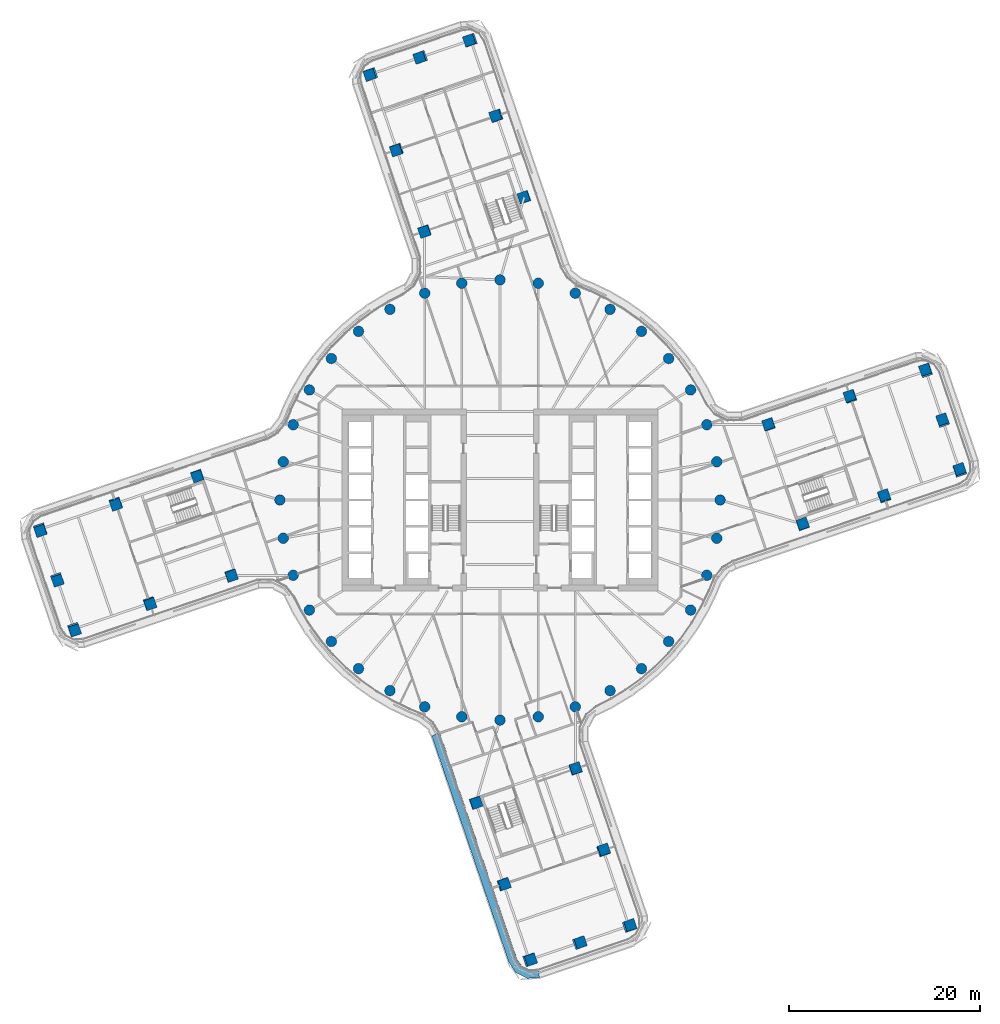
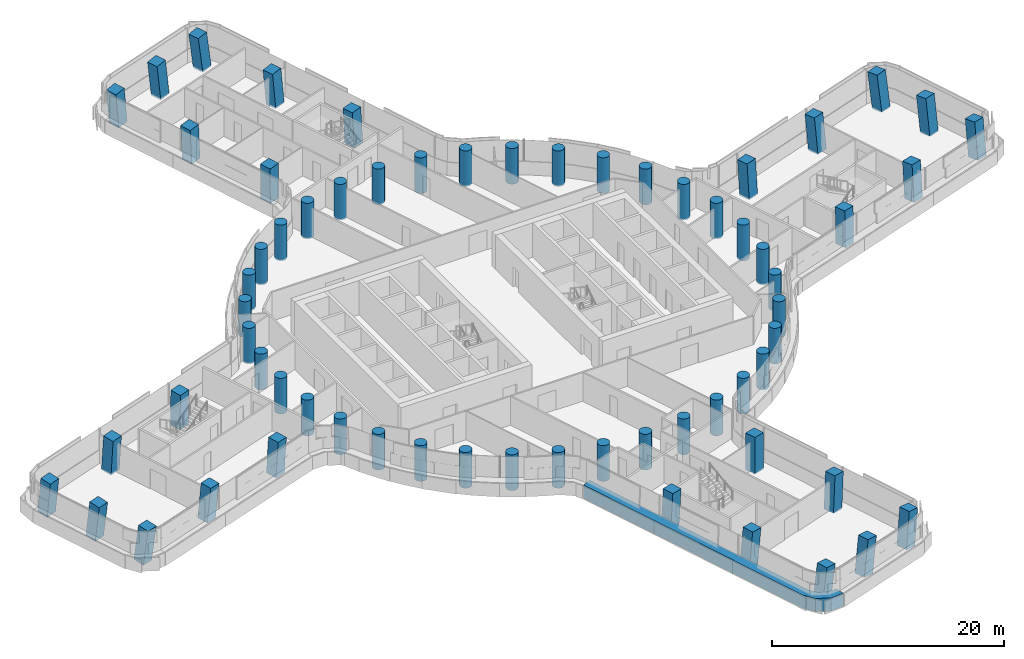
# One storey, part 1 of 29: 64 columns, 1 member, 1 element without a shape of its own.
"""IFC4 building model written with IfcOpenShell, lengths in metres."""

from ifc_helpers import new_model, si_unit, direction, frame, origin, origin_2d, place, context, subcontext, project, spatial, polyline, rectangle, circle, outline, extrude, material, layer, layer_set, material_profile, profile_set, type_object, element, aggregate, save


model = new_model("IFC4")

# Units and contexts
model_context = context("Model", 3, precision=1e-05, world=origin(), true_north=direction((0.0, 1.0)))
body_context = subcontext(model_context, "Body", "Model", "MODEL_VIEW")
ifc_project = project(units=[si_unit("LENGTHUNIT", "METRE"), si_unit("AREAUNIT", "SQUARE_METRE"), si_unit("VOLUMEUNIT", "CUBIC_METRE"), si_unit("PLANEANGLEUNIT", "RADIAN"), si_unit("MASSUNIT", "GRAM", prefix="KILO")], contexts=[model_context])

# Site, building, storey
site_placement = place(None, origin())
site = spatial("IfcSite", under=ifc_project, at=site_placement, CompositionType="ELEMENT")
building_placement = place(site_placement, origin())
building = spatial("IfcBuilding", under=site, at=building_placement, Name="Tamarind Cross Interchange Tower", CompositionType="ELEMENT")
storey_placement = place(building_placement, frame((0.0, 0.0, 102.25)))
storey = spatial("IfcBuildingStorey", under=building, at=storey_placement, Name="L24", CompositionType="ELEMENT", Elevation=102.25)

# Columns
ifc_material_1 = material(Name="Concrete C65", Category="concrete")
ifc_material_profile_1 = material_profile(ifc_material_1, rectangle(XDim=1.10009765625, YDim=1.10009765625, at=origin_2d()), Name="RC 1100x1100")
ifc_profile_set_1 = profile_set([ifc_material_profile_1], Name="Concrete C65")
column_type_1 = type_object("IfcColumnType", Name="Column RC 1100x1100 Concrete C65", PredefinedType="COLUMN", material=ifc_profile_set_1)
for number, where, z_axis, x_axis, name in (
    (1, (36.603271484375, 10.783447265625, -0.138427734375), (-0.052898938805, 0.070293927271, 0.996122716367), (0.320117212286, -0.94368276285, 0.083593142645), "Column L24-036"),
    (2, (40.1494140625, 0.370849609375, -0.138427734375), (-0.002596278956, 0.087884042657, 0.996127328398), (-0.946648043696, -0.321228970973, 0.025873337131), "Column L24-037"),
):
    element("IfcColumn", number, at=place(storey_placement, frame(where, z_axis=z_axis, x_axis=x_axis)), inside=storey, type_object=column_type_1, Name=name, PredefinedType="COLUMN", context=body_context, shape_type="SweptSolid", body=[
        extrude(rectangle(XDim=1.10009765625, YDim=1.10009765625, at=origin_2d()), origin(), (0.0, 0.0, 1.0), 3.761474609375),
    ])
for number, where, z_axis, x_axis, name in (
    (3, (28.083740234375, 7.882080078125, -0.138671875), (-0.038524177237, 0.029218506047, 0.998830399353), (0.320977718265, -0.946239137182, 0.040059950603), "Column L24-038"),
    (4, (31.6298828125, -2.530517578125, -0.138671875), (0.011908660577, 0.046853746533, 0.998830771572), (-0.94678804658, -0.320778489396, 0.02633544367), "Column L24-039"),
):
    element("IfcColumn", number, at=place(storey_placement, frame(where, z_axis=z_axis, x_axis=x_axis)), inside=storey, type_object=column_type_1, Name=name, PredefinedType="COLUMN", context=body_context, shape_type="SweptSolid", body=[
        extrude(rectangle(XDim=1.10009765625, YDim=1.10009765625, at=origin_2d()), origin(), (0.0, 0.0, 1.0), 3.751708984375),
    ])
column_1_placement = place(storey_placement, frame((48.05126953125, 3.061767578125, -0.138427734375), z_axis=(-0.010921655426, 0.12731160467, 0.991802638008), x_axis=(-0.946848622635, -0.32021335944, 0.030677194297)))
element("IfcColumn", 5, at=column_1_placement, inside=storey, type_object=column_type_1, Name="Column L24-040", PredefinedType="COLUMN", context=body_context, shape_type="SweptSolid", body=[
    extrude(rectangle(XDim=1.10009765625, YDim=1.10009765625, at=origin_2d()), origin(), (0.0, 0.0, 1.0), 3.77783203125),
])
column_2_placement = place(storey_placement, frame((46.2783203125, 8.268310546875, -0.138671875), z_axis=(-0.036009331435, 0.118565734026, 0.992293048834), x_axis=(-0.94664769548, -0.322243558205, 0.004150884055)))
element("IfcColumn", 6, at=column_2_placement, inside=storey, type_object=column_type_1, Name="Column L24-041", PredefinedType="COLUMN", context=body_context, shape_type="SweptSolid", body=[
    extrude(rectangle(XDim=1.10009765625, YDim=1.10009765625, at=origin_2d()), origin(), (0.0, 0.0, 1.0), 3.7763671875),
])
column_3_placement = place(storey_placement, frame((44.505126953125, 13.474609375, -0.138671875), z_axis=(-0.061015564719, 0.109750454336, 0.992084642878), x_axis=(0.318578849292, -0.939808632253, 0.123560720001)))
element("IfcColumn", 7, at=column_3_placement, inside=storey, type_object=column_type_1, Name="Column L24-042", PredefinedType="COLUMN", context=body_context, shape_type="SweptSolid", body=[
    extrude(rectangle(XDim=1.10009765625, YDim=1.10009765625, at=origin_2d()), origin(), (0.0, 0.0, 1.0), 3.777099609375),
])
for number, where, z_axis, x_axis, name in (
    (8, (-10.783447265625, 36.603271484375, -0.138427734375), (-0.070293927271, -0.052898938805, 0.996122716367), (0.94368276285, 0.320117212286, 0.083593142645), "Column L24-043"),
    (9, (-0.370849609375, 40.1494140625, -0.138427734375), (-0.087884042657, -0.002596278956, 0.996127328398), (0.321228970973, -0.946648043696, 0.025873337131), "Column L24-044"),
):
    element("IfcColumn", number, at=place(storey_placement, frame(where, z_axis=z_axis, x_axis=x_axis)), inside=storey, type_object=column_type_1, Name=name, PredefinedType="COLUMN", context=body_context, shape_type="SweptSolid", body=[
        extrude(rectangle(XDim=1.10009765625, YDim=1.10009765625, at=origin_2d()), origin(), (0.0, 0.0, 1.0), 3.761474609375),
    ])
for number, where, z_axis, x_axis, name in (
    (10, (-7.882080078125, 28.083740234375, -0.138671875), (-0.029218506047, -0.038524177237, 0.998830399353), (0.946239137182, 0.320977718265, 0.040059950603), "Column L24-045"),
    (11, (2.530517578125, 31.6298828125, -0.138671875), (-0.046853746533, 0.011908660577, 0.998830771572), (0.320778489396, -0.94678804658, 0.02633544367), "Column L24-046"),
):
    element("IfcColumn", number, at=place(storey_placement, frame(where, z_axis=z_axis, x_axis=x_axis)), inside=storey, type_object=column_type_1, Name=name, PredefinedType="COLUMN", context=body_context, shape_type="SweptSolid", body=[
        extrude(rectangle(XDim=1.10009765625, YDim=1.10009765625, at=origin_2d()), origin(), (0.0, 0.0, 1.0), 3.751708984375),
    ])
column_4_placement = place(storey_placement, frame((-3.061767578125, 48.05126953125, -0.138427734375), z_axis=(-0.12731160467, -0.010921655426, 0.991802638008), x_axis=(0.32021335944, -0.946848622635, 0.030677194297)))
element("IfcColumn", 12, at=column_4_placement, inside=storey, type_object=column_type_1, Name="Column L24-047", PredefinedType="COLUMN", context=body_context, shape_type="SweptSolid", body=[
    extrude(rectangle(XDim=1.10009765625, YDim=1.10009765625, at=origin_2d()), origin(), (0.0, 0.0, 1.0), 3.77783203125),
])
column_5_placement = place(storey_placement, frame((-8.268310546875, 46.2783203125, -0.138671875), z_axis=(-0.118565734026, -0.036009331435, 0.992293048834), x_axis=(0.322243558205, -0.94664769548, 0.004150884055)))
element("IfcColumn", 13, at=column_5_placement, inside=storey, type_object=column_type_1, Name="Column L24-048", PredefinedType="COLUMN", context=body_context, shape_type="SweptSolid", body=[
    extrude(rectangle(XDim=1.10009765625, YDim=1.10009765625, at=origin_2d()), origin(), (0.0, 0.0, 1.0), 3.7763671875),
])
column_6_placement = place(storey_placement, frame((-13.474609375, 44.505126953125, -0.138671875), z_axis=(-0.109750454336, -0.061015564719, 0.992084642878), x_axis=(0.939808632253, 0.318578849292, 0.123560720001)))
element("IfcColumn", 14, at=column_6_placement, inside=storey, type_object=column_type_1, Name="Column L24-049", PredefinedType="COLUMN", context=body_context, shape_type="SweptSolid", body=[
    extrude(rectangle(XDim=1.10009765625, YDim=1.10009765625, at=origin_2d()), origin(), (0.0, 0.0, 1.0), 3.777099609375),
])
for number, where, z_axis, x_axis, name in (
    (15, (-36.603271484375, -10.783447265625, -0.138427734375), (0.052898938805, -0.070293927271, 0.996122716367), (-0.320117212286, 0.94368276285, 0.083593142645), "Column L24-050"),
    (16, (-40.1494140625, -0.370849609375, -0.138427734375), (0.002596278956, -0.087884042657, 0.996127328398), (0.946648043696, 0.321228970973, 0.025873337131), "Column L24-051"),
):
    element("IfcColumn", number, at=place(storey_placement, frame(where, z_axis=z_axis, x_axis=x_axis)), inside=storey, type_object=column_type_1, Name=name, PredefinedType="COLUMN", context=body_context, shape_type="SweptSolid", body=[
        extrude(rectangle(XDim=1.10009765625, YDim=1.10009765625, at=origin_2d()), origin(), (0.0, 0.0, 1.0), 3.761474609375),
    ])
for number, where, z_axis, x_axis, name in (
    (17, (-28.083740234375, -7.882080078125, -0.138671875), (0.038524177237, -0.029218506047, 0.998830399353), (-0.320977718265, 0.946239137182, 0.040059950603), "Column L24-052"),
    (18, (-31.6298828125, 2.530517578125, -0.138671875), (-0.011908660577, -0.046853746533, 0.998830771572), (0.94678804658, 0.320778489396, 0.02633544367), "Column L24-053"),
):
    element("IfcColumn", number, at=place(storey_placement, frame(where, z_axis=z_axis, x_axis=x_axis)), inside=storey, type_object=column_type_1, Name=name, PredefinedType="COLUMN", context=body_context, shape_type="SweptSolid", body=[
        extrude(rectangle(XDim=1.10009765625, YDim=1.10009765625, at=origin_2d()), origin(), (0.0, 0.0, 1.0), 3.751708984375),
    ])
column_7_placement = place(storey_placement, frame((-48.05126953125, -3.061767578125, -0.138427734375), z_axis=(0.010921655426, -0.12731160467, 0.991802638008), x_axis=(0.946848622635, 0.32021335944, 0.030677194297)))
element("IfcColumn", 19, at=column_7_placement, inside=storey, type_object=column_type_1, Name="Column L24-054", PredefinedType="COLUMN", context=body_context, shape_type="SweptSolid", body=[
    extrude(rectangle(XDim=1.10009765625, YDim=1.10009765625, at=origin_2d()), origin(), (0.0, 0.0, 1.0), 3.77783203125),
])
column_8_placement = place(storey_placement, frame((-46.2783203125, -8.268310546875, -0.138671875), z_axis=(0.036009331435, -0.118565734026, 0.992293048834), x_axis=(0.94664769548, 0.322243558205, 0.004150884055)))
element("IfcColumn", 20, at=column_8_placement, inside=storey, type_object=column_type_1, Name="Column L24-055", PredefinedType="COLUMN", context=body_context, shape_type="SweptSolid", body=[
    extrude(rectangle(XDim=1.10009765625, YDim=1.10009765625, at=origin_2d()), origin(), (0.0, 0.0, 1.0), 3.7763671875),
])
column_9_placement = place(storey_placement, frame((-44.505126953125, -13.474609375, -0.138671875), z_axis=(0.061015564719, -0.109750454336, 0.992084642878), x_axis=(-0.318578849292, 0.939808632253, 0.123560720001)))
element("IfcColumn", 21, at=column_9_placement, inside=storey, type_object=column_type_1, Name="Column L24-056", PredefinedType="COLUMN", context=body_context, shape_type="SweptSolid", body=[
    extrude(rectangle(XDim=1.10009765625, YDim=1.10009765625, at=origin_2d()), origin(), (0.0, 0.0, 1.0), 3.777099609375),
])
for number, where, z_axis, x_axis, name in (
    (22, (10.783447265625, -36.603271484375, -0.138427734375), (0.070293927271, 0.052898938805, 0.996122716367), (-0.94368276285, -0.320117212286, 0.083593142645), "Column L24-057"),
    (23, (0.370849609375, -40.1494140625, -0.138427734375), (0.087884042657, 0.002596278956, 0.996127328398), (-0.321228970973, 0.946648043696, 0.025873337131), "Column L24-058"),
):
    element("IfcColumn", number, at=place(storey_placement, frame(where, z_axis=z_axis, x_axis=x_axis)), inside=storey, type_object=column_type_1, Name=name, PredefinedType="COLUMN", context=body_context, shape_type="SweptSolid", body=[
        extrude(rectangle(XDim=1.10009765625, YDim=1.10009765625, at=origin_2d()), origin(), (0.0, 0.0, 1.0), 3.761474609375),
    ])
for number, where, z_axis, x_axis, name in (
    (24, (7.882080078125, -28.083740234375, -0.138671875), (0.029218506047, 0.038524177237, 0.998830399353), (-0.946239137182, -0.320977718265, 0.040059950603), "Column L24-059"),
    (25, (-2.530517578125, -31.6298828125, -0.138671875), (0.046853746533, -0.011908660577, 0.998830771572), (-0.320778489396, 0.94678804658, 0.02633544367), "Column L24-060"),
):
    element("IfcColumn", number, at=place(storey_placement, frame(where, z_axis=z_axis, x_axis=x_axis)), inside=storey, type_object=column_type_1, Name=name, PredefinedType="COLUMN", context=body_context, shape_type="SweptSolid", body=[
        extrude(rectangle(XDim=1.10009765625, YDim=1.10009765625, at=origin_2d()), origin(), (0.0, 0.0, 1.0), 3.751708984375),
    ])
column_10_placement = place(storey_placement, frame((3.061767578125, -48.05126953125, -0.138427734375), z_axis=(0.12731160467, 0.010921655426, 0.991802638008), x_axis=(-0.32021335944, 0.946848622635, 0.030677194297)))
element("IfcColumn", 26, at=column_10_placement, inside=storey, type_object=column_type_1, Name="Column L24-061", PredefinedType="COLUMN", context=body_context, shape_type="SweptSolid", body=[
    extrude(rectangle(XDim=1.10009765625, YDim=1.10009765625, at=origin_2d()), origin(), (0.0, 0.0, 1.0), 3.77783203125),
])
column_11_placement = place(storey_placement, frame((8.268310546875, -46.2783203125, -0.138671875), z_axis=(0.118565734026, 0.036009331435, 0.992293048834), x_axis=(-0.322243558205, 0.94664769548, 0.004150884055)))
element("IfcColumn", 27, at=column_11_placement, inside=storey, type_object=column_type_1, Name="Column L24-062", PredefinedType="COLUMN", context=body_context, shape_type="SweptSolid", body=[
    extrude(rectangle(XDim=1.10009765625, YDim=1.10009765625, at=origin_2d()), origin(), (0.0, 0.0, 1.0), 3.7763671875),
])
column_12_placement = place(storey_placement, frame((13.474609375, -44.505126953125, -0.138671875), z_axis=(0.109750454336, 0.061015564719, 0.992084642878), x_axis=(-0.939808632253, -0.318578849292, 0.123560720001)))
element("IfcColumn", 28, at=column_12_placement, inside=storey, type_object=column_type_1, Name="Column L24-063", PredefinedType="COLUMN", context=body_context, shape_type="SweptSolid", body=[
    extrude(rectangle(XDim=1.10009765625, YDim=1.10009765625, at=origin_2d()), origin(), (0.0, 0.0, 1.0), 3.777099609375),
])
ifc_material_profile_2 = material_profile(ifc_material_1, circle(Radius=0.550048828125, at=origin_2d()), Name="RC D1100")
ifc_profile_set_2 = profile_set([ifc_material_profile_2], Name="Concrete C65")
column_type_2 = type_object("IfcColumnType", Name="Column RC D1100 Concrete C65", PredefinedType="COLUMN", material=ifc_profile_set_2)
for number, where, z_axis, x_axis, name in (
    (29, (23.0, 0.0, -0.139892578125), (0.0, 0.0, 1.0), (1.0, 0.0, 0.0), "Column L24-000"),
    (30, (22.650634765625, 3.993896484375, -0.139892578125), (0.0, 0.0, 1.0), (1.0, 0.0, 0.0), "Column L24-001"),
    (31, (21.613037109375, 7.866455078125, -0.139892578125), (0.0, 0.0, 1.0), (1.0, 0.0, 0.0), "Column L24-002"),
    (32, (19.918701171875, 11.5, -0.139892578125), (0.0, 0.0, 1.0), (1.0, 0.0, 0.0), "Column L24-003"),
    (33, (17.619140625, 14.7841796875, -0.139892578125), (0.0, 0.0, 1.0), (1.0, 0.0, 0.0), "Column L24-004"),
    (34, (14.7841796875, 17.619140625, -0.139892578125), (0.0, 0.0, 1.0), (1.0, 0.0, 0.0), "Column L24-005"),
    (35, (11.5, 19.918701171875, -0.139892578125), (0.0, 0.0, 1.0), (1.0, 0.0, 0.0), "Column L24-006"),
    (36, (7.866455078125, 21.613037109375, -0.139892578125), (0.0, 0.0, 1.0), (1.0, 0.0, 0.0), "Column L24-007"),
    (37, (3.993896484375, 22.650634765625, -0.139892578125), (0.0, 0.0, 1.0), (1.0, 0.0, 0.0), "Column L24-008"),
    (38, (0.0, 23.0, -0.139892578125), (0.0, 0.0, 1.0), (1.0, 0.0, 0.0), "Column L24-009"),
    (39, (-3.993896484375, 22.650634765625, -0.139892578125), (0.0, 0.0, 1.0), (1.0, 0.0, 0.0), "Column L24-010"),
    (40, (-7.866455078125, 21.613037109375, -0.139892578125), (0.0, 0.0, 1.0), (1.0, 0.0, 0.0), "Column L24-011"),
    (41, (-11.5, 19.918701171875, -0.139892578125), (0.0, 0.0, 1.0), (1.0, 0.0, 0.0), "Column L24-012"),
    (42, (-14.7841796875, 17.619140625, -0.139892578125), (0.0, 0.0, 1.0), (1.0, 0.0, 0.0), "Column L24-013"),
    (43, (-17.619140625, 14.7841796875, -0.139892578125), (0.0, 0.0, 1.0), (1.0, 0.0, 0.0), "Column L24-014"),
    (44, (-19.918701171875, 11.5, -0.139892578125), (0.0, 0.0, 1.0), (1.0, 0.0, 0.0), "Column L24-015"),
    (45, (-21.613037109375, 7.866455078125, -0.139892578125), (0.0, 0.0, 1.0), (1.0, 0.0, 0.0), "Column L24-016"),
    (46, (-22.650634765625, 3.993896484375, -0.139892578125), (0.0, 0.0, 1.0), (1.0, 0.0, 0.0), "Column L24-017"),
    (47, (-23.0, 0.0, -0.139892578125), (0.0, 0.0, 1.0), (1.0, 0.0, 0.0), "Column L24-018"),
    (48, (-22.650634765625, -3.993896484375, -0.139892578125), (0.0, 0.0, 1.0), (1.0, 0.0, 0.0), "Column L24-019"),
    (49, (-21.613037109375, -7.866455078125, -0.139892578125), (0.0, 0.0, 1.0), (1.0, 0.0, 0.0), "Column L24-020"),
    (50, (-19.918701171875, -11.5, -0.139892578125), (0.0, 0.0, 1.0), (1.0, 0.0, 0.0), "Column L24-021"),
    (51, (-17.619140625, -14.7841796875, -0.139892578125), (0.0, 0.0, 1.0), (1.0, 0.0, 0.0), "Column L24-022"),
    (52, (-14.7841796875, -17.619140625, -0.139892578125), (0.0, 0.0, 1.0), (1.0, 0.0, 0.0), "Column L24-023"),
    (53, (-11.5, -19.918701171875, -0.139892578125), (0.0, 0.0, 1.0), (1.0, 0.0, 0.0), "Column L24-024"),
    (54, (-7.866455078125, -21.613037109375, -0.139892578125), (0.0, 0.0, 1.0), (1.0, 0.0, 0.0), "Column L24-025"),
    (55, (-3.993896484375, -22.650634765625, -0.139892578125), (0.0, 0.0, 1.0), (1.0, 0.0, 0.0), "Column L24-026"),
    (56, (0.0, -23.0, -0.139892578125), (0.0, 0.0, 1.0), (1.0, 0.0, 0.0), "Column L24-027"),
    (57, (3.993896484375, -22.650634765625, -0.139892578125), (0.0, 0.0, 1.0), (1.0, 0.0, 0.0), "Column L24-028"),
    (58, (7.866455078125, -21.613037109375, -0.139892578125), (0.0, 0.0, 1.0), (1.0, 0.0, 0.0), "Column L24-029"),
    (59, (11.5, -19.918701171875, -0.139892578125), (0.0, 0.0, 1.0), (1.0, 0.0, 0.0), "Column L24-030"),
    (60, (14.7841796875, -17.619140625, -0.139892578125), (0.0, 0.0, 1.0), (1.0, 0.0, 0.0), "Column L24-031"),
    (61, (17.619140625, -14.7841796875, -0.139892578125), (0.0, 0.0, 1.0), (1.0, 0.0, 0.0), "Column L24-032"),
    (62, (19.918701171875, -11.5, -0.139892578125), (0.0, 0.0, 1.0), (1.0, 0.0, 0.0), "Column L24-033"),
    (63, (21.613037109375, -7.866455078125, -0.139892578125), (0.0, 0.0, 1.0), (1.0, 0.0, 0.0), "Column L24-034"),
    (64, (22.650634765625, -3.993896484375, -0.139892578125), (0.0, 0.0, 1.0), (1.0, 0.0, 0.0), "Column L24-035"),
):
    element("IfcColumn", number, at=place(storey_placement, frame(where, z_axis=z_axis, x_axis=x_axis)), inside=storey, type_object=column_type_2, Name=name, PredefinedType="COLUMN", context=body_context, shape_type="SweptSolid", body=[
        extrude(circle(Radius=0.550048828125, at=origin_2d()), origin(), (0.0, 0.0, 1.0), 3.75),
    ])

# Curtain wall, member
ifc_material_2 = material(Name="Aluminium 6063-T6", Category="aluminium")
ifc_layer = layer(ifc_material_2, 0.159912109375)
ifc_layer_set = layer_set([ifc_layer], Name="Aluminium 6063-T6")
curtain_wall_type = type_object("IfcCurtainWallType", Name="Office curtain wall, 9.0 m bays", PredefinedType="NOTDEFINED", material=ifc_layer_set)
curtain_wall_placement = place(storey_placement, origin())
curtain_wall = element("IfcCurtainWall", 65, at=curtain_wall_placement, inside=storey, type_object=curtain_wall_type, Name="CWS-L24-03", PredefinedType="NOTDEFINED")
ifc_material_3 = material(Name="Aluminium and insulated spandrel panel", Category="aluminium")
member_type = type_object("IfcMemberType", Name="Floor-edge blade transom", PredefinedType="USERDEFINED", material=ifc_material_3)
member_placement = place(storey_placement, origin())
member = element("IfcMember", 66, at=member_placement, type_object=member_type, Name="CWT-L24-03", ObjectType="TRANSOM", PredefinedType="USERDEFINED", context=body_context, shape_type="SweptSolid", body=[
    extrude(outline(polyline([(-6.2998046875, -24.28466796875), (1.751708984375, -47.927490234375), (2.26123046875, -48.68798828125), (3.0458984375, -49.07421875), (3.959228515625, -49.013427734375), (4.13720703125, -49.903564453125), (2.864990234375, -49.988037109375), (1.6474609375, -49.38916015625), (0.93798828125, -48.329833984375), (-7.123046875, -24.659423828125), (-6.2998046875, -24.28466796875)])), origin(), (0.0, 0.0, 1.0), 1.39990234375),
])
aggregate(curtain_wall, [member])

save(model, "model.ifc")
